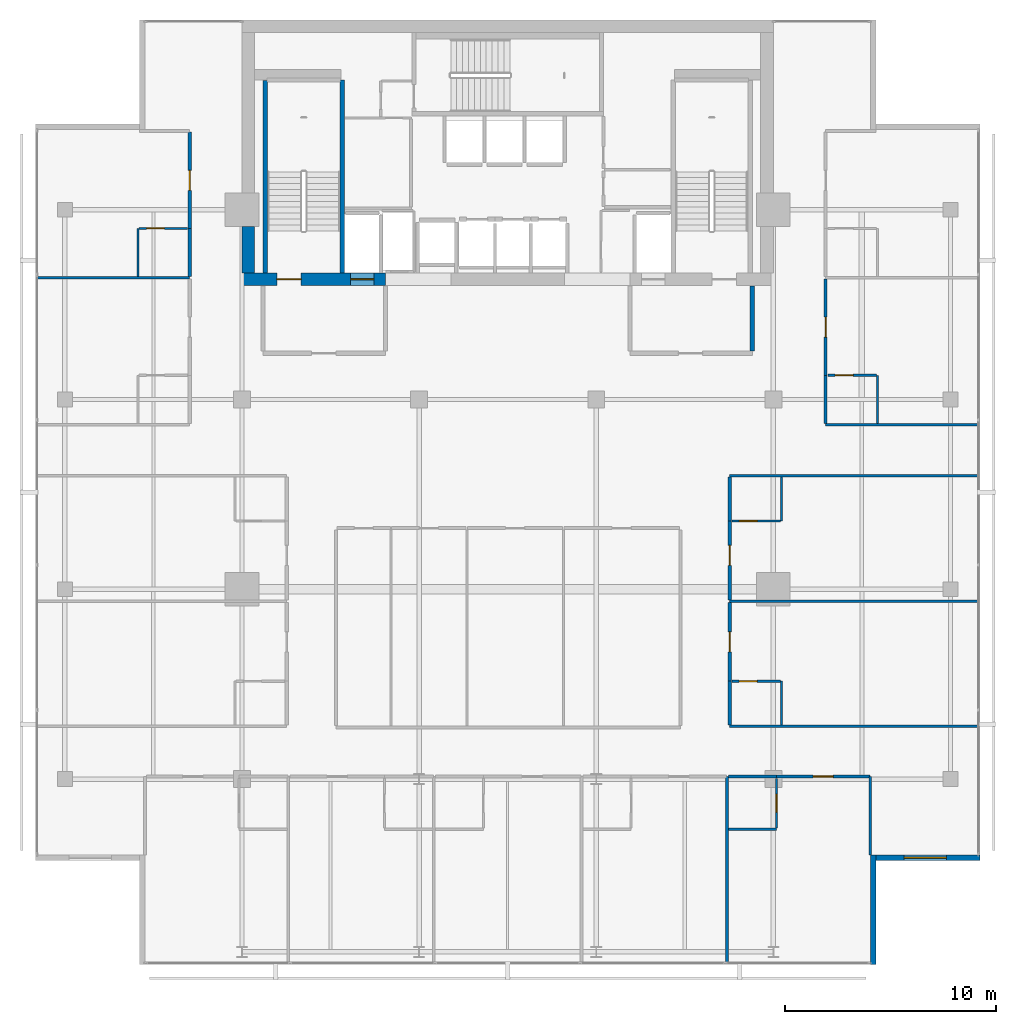
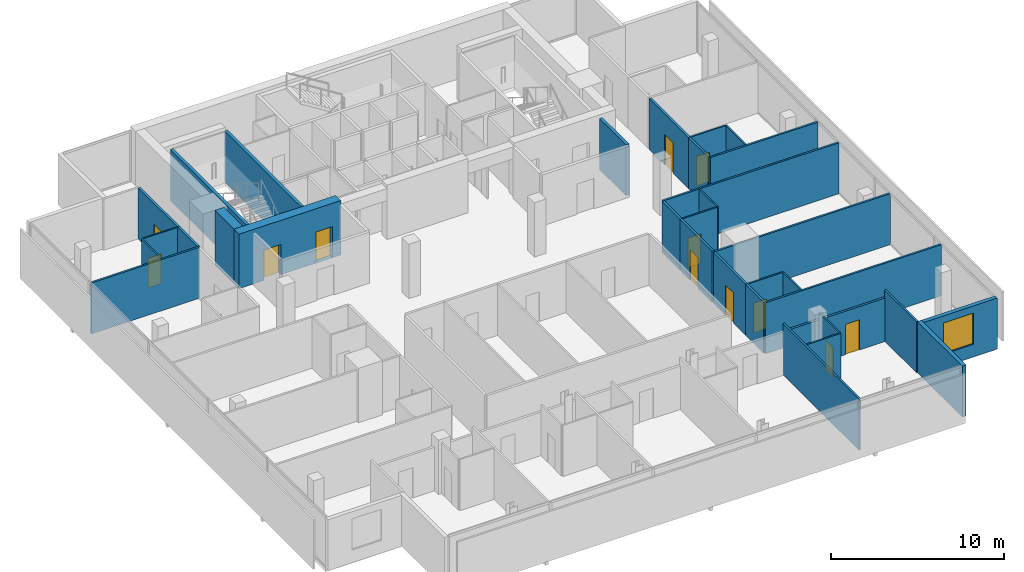
# One storey, part 21 of 25: 34 walls, 12 doors, 1 window, 13 openings.
"""IFC4 building model written with IfcOpenShell, lengths in metres."""

from ifc_helpers import new_model, si_unit, direction, frame, frame_2d, origin, place, context, subcontext, project, spatial, rectangle, extrude, material, layer, layer_set, type_object, element, fill, save


model = new_model("IFC4")

# Units and contexts
model_context = context("Model", 3, precision=1e-05, world=origin(), true_north=direction((0.0, 1.0)))
body_context = subcontext(model_context, "Body", "Model", "MODEL_VIEW")
ifc_project = project(units=[si_unit("LENGTHUNIT", "METRE"), si_unit("AREAUNIT", "SQUARE_METRE"), si_unit("VOLUMEUNIT", "CUBIC_METRE"), si_unit("PLANEANGLEUNIT", "RADIAN"), si_unit("MASSUNIT", "GRAM", prefix="KILO")], contexts=[model_context])

# Site, building, storey
site_placement = place(None, origin())
site = spatial("IfcSite", under=ifc_project, at=site_placement, CompositionType="ELEMENT")
building_placement = place(site_placement, origin())
building = spatial("IfcBuilding", under=site, at=building_placement, Name="Maruvema Waterfront Hotel and Observation Tower", CompositionType="ELEMENT")
storey_placement = place(building_placement, frame((0.0, 0.0, 262.5)))
storey = spatial("IfcBuildingStorey", under=building, at=storey_placement, Name="L64", CompositionType="ELEMENT", Elevation=262.5)

# Wall
ifc_material_1 = material(Name="Twin-stud acoustic gypsum drywall", Category="gypsum")
ifc_layer_1 = layer(ifc_material_1, 0.14990234375, Name="Acoustic Corridor and Suite Demising Wall 150 mm")
ifc_layer_set_1 = layer_set([ifc_layer_1], Name="Twin-stud acoustic gypsum drywall")
wall_type_1 = type_object("IfcWallType", Name="Acoustic Corridor and Suite Demising Wall 150 mm", PredefinedType="PARTITIONING", material=ifc_layer_set_1)
wall_1_placement = place(storey_placement, frame((48.280029296875, 18.1201171875, 0.0), z_axis=(0.0, 0.0, 1.0), x_axis=(1.0, 0.0, 0.0)))
element("IfcWall", 1, at=wall_1_placement, inside=storey, type_object=wall_type_1, Name="L64 Bath L64-S5 Back Wall 053", PredefinedType="PARTITIONING", context=body_context, shape_type="SweptSolid", body=[
    extrude(rectangle(XDim=2.27001953125, YDim=0.14990234375, at=frame_2d((1.135009765625, 0.0))), origin(), (0.0, 0.0, 1.0), 3.076904296875),
])

# Wall, opening, door
wall_2_placement = place(storey_placement, frame((50.550048828125, 18.1201171875, 0.0), z_axis=(0.0, 0.0, 1.0), x_axis=(1.0, 0.0, 0.0)))
wall_2 = element("IfcWall", 2, at=wall_2_placement, inside=storey, type_object=wall_type_1, Name="L64 Unit L64-S5 Corridor Wall 056", PredefinedType="PARTITIONING", context=body_context, shape_type="SweptSolid", body=[
    extrude(rectangle(XDim=4.429931640625, YDim=0.14990234375, at=frame_2d((2.21484375, 0.0))), origin(), (0.0, 0.0, 1.0), 3.076904296875),
])
opening_1_placement = place(wall_2_placement, frame((1.739990234375, 0.0, 0.0)))
opening_1 = element("IfcOpeningElement", 3, at=opening_1_placement, cuts=wall_2, Name="Opening DR-095", PredefinedType="OPENING", context=body_context, shape_type="SweptSolid", body=[
    extrude(rectangle(XDim=0.949951171875, YDim=2.14990234375, at=frame_2d((0.47509765625, 1.074951171875))), frame((0.0, 0.0849609375, 0.0), z_axis=(0.0, -1.0, 0.0), x_axis=(1.0, 0.0, 0.0)), (0.0, 0.0, 1.0), 0.169921875),
])
ifc_material_2 = material(Name="Acoustic solid-core hardwood timber leaf", Category="wood")
door_type_1 = type_object("IfcDoorType", Name="Guestroom Entrance Fire Door 950x2150 mm", OperationType="NOTDEFINED", PredefinedType="DOOR", material=ifc_material_2)
door_1_placement = place(opening_1_placement, frame((0.949951171875, 0.0, 0.0), z_axis=(0.0, 0.0, 1.0), x_axis=(-1.0, 0.0, 0.0)))
door_1 = element("IfcDoor", 4, at=door_1_placement, inside=storey, type_object=door_type_1, Name="L64 Unit L64-S5 Entrance Door", OperationType="SINGLE_SWING_RIGHT", OverallHeight=2.14990234375, OverallWidth=0.949951171875, PredefinedType="DOOR", context=body_context, shape_type="SweptSolid", body=[
    extrude(rectangle(XDim=0.949951171875, YDim=2.14990234375, at=frame_2d((0.47509765625, 1.074951171875))), frame((0.0, 0.02490234375, 0.0), z_axis=(0.0, -1.0, 0.0), x_axis=(1.0, 0.0, 0.0)), (0.0, 0.0, 1.0), 0.050048828125),
])
fill(opening_1, door_1)

# Wall
wall_3_placement = place(storey_placement, frame((48.330078125, 20.56005859375, 0.0), z_axis=(0.0, 0.0, 1.0), x_axis=(0.0, 1.0, 0.0)))
element("IfcWall", 5, at=wall_3_placement, inside=storey, type_object=wall_type_1, Name="L64 Bath L64-E1 Wall 065", PredefinedType="PARTITIONING", context=body_context, shape_type="SweptSolid", body=[
    extrude(rectangle(XDim=2.079833984375, YDim=0.14990234375, at=frame_2d((1.0400390625, 0.0))), origin(), (0.0, 0.0, 1.0), 3.610107421875),
])

# Wall, opening, door
wall_4_placement = place(storey_placement, frame((48.330078125, 22.639892578125, 0.0), z_axis=(0.0, 0.0, 1.0), x_axis=(0.0, 1.0, 0.0)))
wall_4 = element("IfcWall", 6, at=wall_4_placement, inside=storey, type_object=wall_type_1, Name="L64 Room L64-E1 Corridor Wall 066", PredefinedType="PARTITIONING", context=body_context, shape_type="SweptSolid", body=[
    extrude(rectangle(XDim=3.739990234375, YDim=0.14990234375, at=frame_2d((1.8701171875, 0.0))), origin(), (0.0, 0.0, 1.0), 3.610107421875),
])
opening_2_placement = place(wall_4_placement, frame((1.39501953125, 0.0, 0.0)))
opening_2 = element("IfcOpeningElement", 7, at=opening_2_placement, cuts=wall_4, Name="Opening DR-095", PredefinedType="OPENING", context=body_context, shape_type="SweptSolid", body=[
    extrude(rectangle(XDim=0.949951171875, YDim=2.14990234375, at=frame_2d((0.47509765625, 1.074951171875))), frame((0.0, 0.0849609375, 0.0), z_axis=(0.0, -1.0, 0.0), x_axis=(1.0, 0.0, 0.0)), (0.0, 0.0, 1.0), 0.169921875),
])
door_2_placement = place(opening_2_placement, frame((0.949951171875, 0.0, 0.0), z_axis=(0.0, 0.0, 1.0), x_axis=(-1.0, 0.0, 0.0)))
door_2 = element("IfcDoor", 8, at=door_2_placement, inside=storey, type_object=door_type_1, Name="L64 Room L64-E1 Entrance Door", OperationType="SINGLE_SWING_RIGHT", OverallHeight=2.14990234375, OverallWidth=0.949951171875, PredefinedType="DOOR", context=body_context, shape_type="SweptSolid", body=[
    extrude(rectangle(XDim=0.949951171875, YDim=2.14990234375, at=frame_2d((0.47509765625, 1.074951171875))), frame((0.0, 0.02490234375, 0.0), z_axis=(0.0, -1.0, 0.0), x_axis=(1.0, 0.0, 0.0)), (0.0, 0.0, 1.0), 0.050048828125),
])
fill(opening_2, door_2)

wall_5_placement = place(storey_placement, frame((48.330078125, 26.5, 0.0), z_axis=(0.0, 0.0, 1.0), x_axis=(0.0, 1.0, 0.0)))
wall_5 = element("IfcWall", 9, at=wall_5_placement, inside=storey, type_object=wall_type_1, Name="L64 Room L64-E2 Corridor Wall 075", PredefinedType="PARTITIONING", context=body_context, shape_type="SweptSolid", body=[
    extrude(rectangle(XDim=3.739990234375, YDim=0.14990234375, at=frame_2d((1.8701171875, 0.0))), origin(), (0.0, 0.0, 1.0), 3.610107421875),
])
opening_3_placement = place(wall_5_placement, frame((1.635009765625, 0.0, 0.0)))
opening_3 = element("IfcOpeningElement", 10, at=opening_3_placement, cuts=wall_5, Name="Opening DR-095", PredefinedType="OPENING", context=body_context, shape_type="SweptSolid", body=[
    extrude(rectangle(XDim=0.949951171875, YDim=2.14990234375, at=frame_2d((0.47509765625, 1.074951171875))), frame((0.0, 0.0849609375, 0.0), z_axis=(0.0, -1.0, 0.0), x_axis=(1.0, 0.0, 0.0)), (0.0, 0.0, 1.0), 0.169921875),
])
door_3_placement = place(opening_3_placement, frame((0.949951171875, 0.0, 0.0), z_axis=(0.0, 0.0, 1.0), x_axis=(-1.0, 0.0, 0.0)))
door_3 = element("IfcDoor", 11, at=door_3_placement, inside=storey, type_object=door_type_1, Name="L64 Room L64-E2 Entrance Door", OperationType="SINGLE_SWING_RIGHT", OverallHeight=2.14990234375, OverallWidth=0.949951171875, PredefinedType="DOOR", context=body_context, shape_type="SweptSolid", body=[
    extrude(rectangle(XDim=0.949951171875, YDim=2.14990234375, at=frame_2d((0.47509765625, 1.074951171875))), frame((0.0, 0.02490234375, 0.0), z_axis=(0.0, -1.0, 0.0), x_axis=(1.0, 0.0, 0.0)), (0.0, 0.0, 1.0), 0.050048828125),
])
fill(opening_3, door_3)

# Walls
wall_6_placement = place(storey_placement, frame((48.330078125, 30.239990234375, 0.0), z_axis=(0.0, 0.0, 1.0), x_axis=(0.0, 1.0, 0.0)))
element("IfcWall", 12, at=wall_6_placement, inside=storey, type_object=wall_type_1, Name="L64 Bath L64-E2 Wall 076", PredefinedType="PARTITIONING", context=body_context, shape_type="SweptSolid", body=[
    extrude(rectangle(XDim=2.080078125, YDim=0.14990234375, at=frame_2d((1.0400390625, 0.0))), origin(), (0.0, 0.0, 1.0), 3.610107421875),
])
wall_7_placement = place(storey_placement, frame((52.8798828125, 34.860107421875, 0.0), z_axis=(0.0, 0.0, 1.0), x_axis=(0.0, 1.0, 0.0)))
element("IfcWall", 13, at=wall_7_placement, inside=storey, type_object=wall_type_1, Name="L64 Bath L64-NE1 Wall 087", PredefinedType="PARTITIONING", context=body_context, shape_type="SweptSolid", body=[
    extrude(rectangle(XDim=2.289794921875, YDim=0.14990234375, at=frame_2d((1.14501953125, 0.0))), origin(), (0.0, 0.0, 1.0), 3.610107421875),
])

# Wall, opening, door
wall_8_placement = place(storey_placement, frame((52.8798828125, 37.14990234375, 0.0), z_axis=(0.0, 0.0, 1.0), x_axis=(0.0, 1.0, 0.0)))
wall_8 = element("IfcWall", 14, at=wall_8_placement, inside=storey, type_object=wall_type_1, Name="L64 Room L64-NE1 Corridor Wall 088", PredefinedType="PARTITIONING", context=body_context, shape_type="SweptSolid", body=[
    extrude(rectangle(XDim=4.558837890625, YDim=0.14990234375, at=frame_2d((2.279296875, 0.0))), origin(), (0.0, 0.0, 1.0), 3.610107421875),
])
opening_4_placement = place(wall_8_placement, frame((1.804443359375, 0.0, 0.0)))
opening_4 = element("IfcOpeningElement", 15, at=opening_4_placement, cuts=wall_8, Name="Opening DR-095", PredefinedType="OPENING", context=body_context, shape_type="SweptSolid", body=[
    extrude(rectangle(XDim=0.949951171875, YDim=2.14990234375, at=frame_2d((0.47509765625, 1.074951171875))), frame((0.0, 0.0849609375, 0.0), z_axis=(0.0, -1.0, 0.0), x_axis=(1.0, 0.0, 0.0)), (0.0, 0.0, 1.0), 0.169921875),
])
door_4_placement = place(opening_4_placement, frame((0.949951171875, 0.0, 0.0), z_axis=(0.0, 0.0, 1.0), x_axis=(-1.0, 0.0, 0.0)))
door_4 = element("IfcDoor", 16, at=door_4_placement, inside=storey, type_object=door_type_1, Name="L64 Room L64-NE1 Entrance Door", OperationType="SINGLE_SWING_RIGHT", OverallHeight=2.14990234375, OverallWidth=0.949951171875, PredefinedType="DOOR", context=body_context, shape_type="SweptSolid", body=[
    extrude(rectangle(XDim=0.949951171875, YDim=2.14990234375, at=frame_2d((0.47509765625, 1.074951171875))), frame((0.0, 0.02490234375, 0.0), z_axis=(0.0, -1.0, 0.0), x_axis=(1.0, 0.0, 0.0)), (0.0, 0.0, 1.0), 0.050048828125),
])
fill(opening_4, door_4)

# Wall
wall_9_placement = place(storey_placement, frame((22.719970703125, 41.82861328125, 0.0), z_axis=(0.0, 0.0, 1.0), x_axis=(0.0, 1.0, 0.0)))
element("IfcWall", 17, at=wall_9_placement, inside=storey, type_object=wall_type_1, Name="L64 Bath L64-NW2 Wall 093", PredefinedType="PARTITIONING", context=body_context, shape_type="SweptSolid", body=[
    extrude(rectangle(XDim=2.2900390625, YDim=0.14990234375, at=frame_2d((1.14501953125, 0.0))), origin(), (0.0, 0.0, 1.0), 3.610107421875),
])

# Wall, opening, door
wall_10_placement = place(storey_placement, frame((22.719970703125, 44.11865234375, 0.0), z_axis=(0.0, 0.0, 1.0), x_axis=(0.0, 1.0, 0.0)))
wall_10 = element("IfcWall", 18, at=wall_10_placement, inside=storey, type_object=wall_type_1, Name="L64 Room L64-NW2 Corridor Wall 094", PredefinedType="PARTITIONING", context=body_context, shape_type="SweptSolid", body=[
    extrude(rectangle(XDim=4.558837890625, YDim=0.14990234375, at=frame_2d((2.279296875, 0.0))), origin(), (0.0, 0.0, 1.0), 3.610107421875),
])
opening_5_placement = place(wall_10_placement, frame((1.804443359375, 0.0, 0.0)))
opening_5 = element("IfcOpeningElement", 19, at=opening_5_placement, cuts=wall_10, Name="Opening DR-095", PredefinedType="OPENING", context=body_context, shape_type="SweptSolid", body=[
    extrude(rectangle(XDim=0.949951171875, YDim=2.14990234375, at=frame_2d((0.47509765625, 1.074951171875))), frame((0.0, 0.0849609375, 0.0), z_axis=(0.0, -1.0, 0.0), x_axis=(1.0, 0.0, 0.0)), (0.0, 0.0, 1.0), 0.169921875),
])
door_5_placement = place(opening_5_placement, origin())
door_5 = element("IfcDoor", 20, at=door_5_placement, inside=storey, type_object=door_type_1, Name="L64 Room L64-NW2 Entrance Door", OperationType="SINGLE_SWING_RIGHT", OverallHeight=2.14990234375, OverallWidth=0.949951171875, PredefinedType="DOOR", context=body_context, shape_type="SweptSolid", body=[
    extrude(rectangle(XDim=0.949951171875, YDim=2.14990234375, at=frame_2d((0.47509765625, 1.074951171875))), frame((0.0, 0.02490234375, 0.0), z_axis=(0.0, -1.0, 0.0), x_axis=(1.0, 0.0, 0.0)), (0.0, 0.0, 1.0), 0.050048828125),
])
fill(opening_5, door_5)

# Walls
ifc_material_3 = material(Name="Precast concrete C45/55", Category="concrete")
ifc_layer_2 = layer(ifc_material_3, 0.199951171875, Name="Core Shaft and Stairwell Enclosure Wall 200 mm")
ifc_layer_set_2 = layer_set([ifc_layer_2], Name="Precast concrete C45/55")
wall_type_2 = type_object("IfcWallType", Name="Core Shaft and Stairwell Enclosure Wall 200 mm", PredefinedType="SOLIDWALL", material=ifc_layer_set_2)
wall_11_placement = place(storey_placement, frame((29.949951171875, 42.0, 0.0), z_axis=(0.0, 0.0, 1.0), x_axis=(0.0, 1.0, 0.0)))
element("IfcWall", 21, at=wall_11_placement, inside=storey, type_object=wall_type_2, Name="L64 Stairwell ST-01 East Shaft Wall", PredefinedType="SOLIDWALL", context=body_context, shape_type="SweptSolid", body=[
    extrude(rectangle(XDim=9.14990234375, YDim=0.199951171875, at=frame_2d((4.574951171875, 0.0))), origin(), (0.0, 0.0, 1.0), 3.610107421875),
])
wall_12_placement = place(storey_placement, frame((26.300048828125, 42.0, 0.0), z_axis=(0.0, 0.0, 1.0), x_axis=(0.0, 1.0, 0.0)))
element("IfcWall", 22, at=wall_12_placement, inside=storey, type_object=wall_type_2, Name="L64 Stairwell ST-01 Shaft Lining Wall", PredefinedType="SOLIDWALL", context=body_context, shape_type="SweptSolid", body=[
    extrude(rectangle(XDim=9.1201171875, YDim=0.199951171875, at=frame_2d((4.56005859375, 0.0))), origin(), (0.0, 0.0, 1.0), 3.610107421875),
])

# Wall, openings, doors
ifc_material_4 = material(Name="Concrete C60/75", Category="concrete")
ifc_layer_3 = layer(ifc_material_4, 0.60009765625, Name="Core Shear Wall 600 mm")
ifc_layer_set_3 = layer_set([ifc_layer_3], Name="Concrete C60/75")
wall_type_3 = type_object("IfcWallType", Name="Core Shear Wall 600 mm", PredefinedType="SHEAR", material=ifc_layer_set_3)
wall_13_placement = place(storey_placement, frame((25.199951171875, 41.699951171875, 0.0), z_axis=(0.0, 0.0, 1.0), x_axis=(1.0, 0.0, 0.0)))
wall_13 = element("IfcWall", 23, at=wall_13_placement, inside=storey, type_object=wall_type_3, Name="L64 South-West Core Shear Wall", PredefinedType="SHEAR", context=body_context, shape_type="SweptSolid", body=[
    extrude(rectangle(XDim=6.800048828125, YDim=0.60009765625, at=frame_2d((3.39990234375, 0.0))), origin(), (0.0, 0.0, 1.0), 3.85009765625),
])
opening_6_placement = place(wall_13_placement, frame((1.64990234375, 0.0, 0.0)))
opening_6 = element("IfcOpeningElement", 24, at=opening_6_placement, cuts=wall_13, Name="Opening SD-01", PredefinedType="OPENING", context=body_context, shape_type="SweptSolid", body=[
    extrude(rectangle(XDim=1.14990234375, YDim=2.14990234375, at=frame_2d((0.574951171875, 1.074951171875))), frame((0.0, 0.31005859375, 0.0), z_axis=(0.0, -1.0, 0.0), x_axis=(1.0, 0.0, 0.0)), (0.0, 0.0, 1.0), 0.6201171875),
])
opening_7_placement = place(wall_13_placement, frame((5.14990234375, 0.0, 0.0)))
opening_7 = element("IfcOpeningElement", 25, at=opening_7_placement, cuts=wall_13, Name="Opening LD-03", PredefinedType="OPENING", context=body_context, shape_type="SweptSolid", body=[
    extrude(rectangle(XDim=1.10009765625, YDim=2.199951171875, at=frame_2d((0.550048828125, 1.10009765625))), frame((0.0, 0.31005859375, 0.0), z_axis=(0.0, -1.0, 0.0), x_axis=(1.0, 0.0, 0.0)), (0.0, 0.0, 1.0), 0.6201171875),
])
ifc_material_5 = material(Name="Fire-rated galvanised steel leaf", Category="steel")
door_type_2 = type_object("IfcDoorType", Name="Exit Stair Fire Door 1150x2150 mm", OperationType="NOTDEFINED", PredefinedType="DOOR", material=ifc_material_5)
door_6_placement = place(opening_6_placement, origin())
door_6 = element("IfcDoor", 26, at=door_6_placement, inside=storey, type_object=door_type_2, Name="L64 Exit Stair ST-01 Fire Door", OperationType="SINGLE_SWING_LEFT", OverallHeight=2.14990234375, OverallWidth=1.14990234375, PredefinedType="DOOR", context=body_context, shape_type="SweptSolid", body=[
    extrude(rectangle(XDim=1.14990234375, YDim=2.14990234375, at=frame_2d((0.574951171875, 1.074951171875))), frame((0.0, 0.02490234375, 0.0), z_axis=(0.0, -1.0, 0.0), x_axis=(1.0, 0.0, 0.0)), (0.0, 0.0, 1.0), 0.050048828125),
])
fill(opening_6, door_6)
ifc_material_6 = material(Name="Brushed stainless steel Grade 316", Category="steel")
door_type_3 = type_object("IfcDoorType", Name="Firefighting Lift Sliding Landing Door 1100x2200 mm", OperationType="SLIDING_TO_LEFT", PredefinedType="DOOR", material=ifc_material_6)
door_7_placement = place(opening_7_placement, frame((1.10009765625, 0.0, 0.0), z_axis=(0.0, 0.0, 1.0), x_axis=(-1.0, 0.0, 0.0)))
door_7 = element("IfcDoor", 27, at=door_7_placement, inside=storey, type_object=door_type_3, Name="L64 Firefighting Lift FL-01 Landing Door", OperationType="SLIDING_TO_LEFT", OverallHeight=2.199951171875, OverallWidth=1.10009765625, PredefinedType="DOOR", context=body_context, shape_type="SweptSolid", body=[
    extrude(rectangle(XDim=1.10009765625, YDim=2.199951171875, at=frame_2d((0.550048828125, 1.10009765625))), frame((0.0, 0.02490234375, 0.0), z_axis=(0.0, -1.0, 0.0), x_axis=(1.0, 0.0, 0.0)), (0.0, 0.0, 1.0), 0.050048828125),
])
fill(opening_7, door_7)

# Walls
wall_14_placement = place(storey_placement, frame((25.5, 42.0, 0.0), z_axis=(0.0, 0.0, 1.0), x_axis=(0.0, 1.0, 0.0)))
element("IfcWall", 28, at=wall_14_placement, inside=storey, type_object=wall_type_3, Name="L64 West-South Core Shear Wall", PredefinedType="SHEAR", context=body_context, shape_type="SweptSolid", body=[
    extrude(rectangle(XDim=2.199951171875, YDim=0.60009765625, at=frame_2d((1.10009765625, 0.0))), origin(), (0.0, 0.0, 1.0), 3.85009765625),
])
ifc_material_7 = material(Name="Moisture-resistant cement-board drywall", Category="gypsum")
ifc_layer_4 = layer(ifc_material_7, 0.10009765625, Name="En-Suite Moisture-Resistant Partition 100 mm")
ifc_layer_set_4 = layer_set([ifc_layer_4], Name="Moisture-resistant cement-board drywall")
wall_type_4 = type_object("IfcWallType", Name="En-Suite Moisture-Resistant Partition 100 mm", PredefinedType="PARTITIONING", material=ifc_layer_set_4)
wall_15_placement = place(storey_placement, frame((48.280029296875, 15.6201171875, 0.0), z_axis=(0.0, 0.0, 1.0), x_axis=(1.0, 0.0, 0.0)))
element("IfcWall", 29, at=wall_15_placement, inside=storey, type_object=wall_type_4, Name="L64 En-Suite L64-S5 South 054", PredefinedType="PARTITIONING", context=body_context, shape_type="SweptSolid", body=[
    extrude(rectangle(XDim=2.27001953125, YDim=0.10009765625, at=frame_2d((1.135009765625, 0.0))), origin(), (0.0, 0.0, 1.0), 3.610107421875),
])

# Wall, opening, door
wall_16_placement = place(storey_placement, frame((50.550048828125, 15.679931640625, 0.0), z_axis=(0.0, 0.0, 1.0), x_axis=(0.0, 1.0, 0.0)))
wall_16 = element("IfcWall", 30, at=wall_16_placement, inside=storey, type_object=wall_type_4, Name="L64 En-Suite L64-S5 East 055", PredefinedType="PARTITIONING", context=body_context, shape_type="SweptSolid", body=[
    extrude(rectangle(XDim=2.340087890625, YDim=0.10009765625, at=frame_2d((1.169921875, 0.0))), origin(), (0.0, 0.0, 1.0), 3.610107421875),
])
opening_8_placement = place(wall_16_placement, frame((0.7451171875, 0.0, 0.0)))
opening_8 = element("IfcOpeningElement", 31, at=opening_8_placement, cuts=wall_16, Name="Opening DR-085", PredefinedType="OPENING", context=body_context, shape_type="SweptSolid", body=[
    extrude(rectangle(XDim=0.85009765625, YDim=2.10009765625, at=frame_2d((0.425048828125, 1.050048828125))), frame((0.0, 0.06005859375, 0.0), z_axis=(0.0, -1.0, 0.0), x_axis=(1.0, 0.0, 0.0)), (0.0, 0.0, 1.0), 0.1201171875),
])
ifc_material_8 = material(Name="Moisture-resistant solid timber leaf", Category="wood")
door_type_4 = type_object("IfcDoorType", Name="En-Suite Bathroom Door 850x2100 mm", OperationType="NOTDEFINED", PredefinedType="DOOR", material=ifc_material_8)
door_8_placement = place(opening_8_placement, frame((0.85009765625, 0.0, 0.0), z_axis=(0.0, 0.0, 1.0), x_axis=(-1.0, 0.0, 0.0)))
door_8 = element("IfcDoor", 32, at=door_8_placement, inside=storey, type_object=door_type_4, Name="L64 En-Suite L64-S5 Door", OperationType="SINGLE_SWING_LEFT", OverallHeight=2.10009765625, OverallWidth=0.85009765625, PredefinedType="DOOR", context=body_context, shape_type="SweptSolid", body=[
    extrude(rectangle(XDim=0.85009765625, YDim=2.10009765625, at=frame_2d((0.425048828125, 1.050048828125))), frame((0.0, 0.02490234375, 0.0), z_axis=(0.0, -1.0, 0.0), x_axis=(1.0, 0.0, 0.0)), (0.0, 0.0, 1.0), 0.050048828125),
])
fill(opening_8, door_8)

# Wall
wall_17_placement = place(storey_placement, frame((50.780029296875, 20.56005859375, 0.0), z_axis=(0.0, 0.0, 1.0), x_axis=(0.0, 1.0, 0.0)))
element("IfcWall", 33, at=wall_17_placement, inside=storey, type_object=wall_type_4, Name="L64 En-Suite L64-E1 E 067", PredefinedType="PARTITIONING", context=body_context, shape_type="SweptSolid", body=[
    extrude(rectangle(XDim=2.079833984375, YDim=0.10009765625, at=frame_2d((1.0400390625, 0.0))), origin(), (0.0, 0.0, 1.0), 3.610107421875),
])

# Wall, opening, door
wall_18_placement = place(storey_placement, frame((48.429931640625, 22.639892578125, 0.0), z_axis=(0.0, 0.0, 1.0), x_axis=(1.0, 0.0, 0.0)))
wall_18 = element("IfcWall", 34, at=wall_18_placement, inside=storey, type_object=wall_type_4, Name="L64 En-Suite L64-E1 N 068", PredefinedType="PARTITIONING", context=body_context, shape_type="SweptSolid", body=[
    extrude(rectangle(XDim=2.300048828125, YDim=0.10009765625, at=frame_2d((1.14990234375, 0.0))), origin(), (0.0, 0.0, 1.0), 3.610107421875),
])
opening_9_placement = place(wall_18_placement, frame((0.35009765625, 0.0, 0.0)))
opening_9 = element("IfcOpeningElement", 35, at=opening_9_placement, cuts=wall_18, Name="Opening DR-085", PredefinedType="OPENING", context=body_context, shape_type="SweptSolid", body=[
    extrude(rectangle(XDim=0.85009765625, YDim=2.10009765625, at=frame_2d((0.425048828125, 1.050048828125))), frame((0.0, 0.06005859375, 0.0), z_axis=(0.0, -1.0, 0.0), x_axis=(1.0, 0.0, 0.0)), (0.0, 0.0, 1.0), 0.1201171875),
])
door_9_placement = place(opening_9_placement, origin())
door_9 = element("IfcDoor", 36, at=door_9_placement, inside=storey, type_object=door_type_4, Name="L64 En-Suite L64-E1 Door", OperationType="SINGLE_SWING_LEFT", OverallHeight=2.10009765625, OverallWidth=0.85009765625, PredefinedType="DOOR", context=body_context, shape_type="SweptSolid", body=[
    extrude(rectangle(XDim=0.85009765625, YDim=2.10009765625, at=frame_2d((0.425048828125, 1.050048828125))), frame((0.0, 0.02490234375, 0.0), z_axis=(0.0, -1.0, 0.0), x_axis=(1.0, 0.0, 0.0)), (0.0, 0.0, 1.0), 0.050048828125),
])
fill(opening_9, door_9)

# Wall
wall_19_placement = place(storey_placement, frame((50.780029296875, 30.239990234375, 0.0), z_axis=(0.0, 0.0, 1.0), x_axis=(0.0, 1.0, 0.0)))
element("IfcWall", 37, at=wall_19_placement, inside=storey, type_object=wall_type_4, Name="L64 En-Suite L64-E2 E 077", PredefinedType="PARTITIONING", context=body_context, shape_type="SweptSolid", body=[
    extrude(rectangle(XDim=2.080078125, YDim=0.10009765625, at=frame_2d((1.0400390625, 0.0))), origin(), (0.0, 0.0, 1.0), 3.610107421875),
])

# Wall, opening, door
wall_20_placement = place(storey_placement, frame((48.429931640625, 30.239990234375, 0.0), z_axis=(0.0, 0.0, 1.0), x_axis=(1.0, 0.0, 0.0)))
wall_20 = element("IfcWall", 38, at=wall_20_placement, inside=storey, type_object=wall_type_4, Name="L64 En-Suite L64-E2 S 078", PredefinedType="PARTITIONING", context=body_context, shape_type="SweptSolid", body=[
    extrude(rectangle(XDim=2.300048828125, YDim=0.10009765625, at=frame_2d((1.14990234375, 0.0))), origin(), (0.0, 0.0, 1.0), 3.610107421875),
])
opening_10_placement = place(wall_20_placement, frame((0.35009765625, 0.0, 0.0)))
opening_10 = element("IfcOpeningElement", 39, at=opening_10_placement, cuts=wall_20, Name="Opening DR-085", PredefinedType="OPENING", context=body_context, shape_type="SweptSolid", body=[
    extrude(rectangle(XDim=0.85009765625, YDim=2.10009765625, at=frame_2d((0.425048828125, 1.050048828125))), frame((0.0, 0.06005859375, 0.0), z_axis=(0.0, -1.0, 0.0), x_axis=(1.0, 0.0, 0.0)), (0.0, 0.0, 1.0), 0.1201171875),
])
door_10_placement = place(opening_10_placement, frame((0.85009765625, 0.0, 0.0), z_axis=(0.0, 0.0, 1.0), x_axis=(-1.0, 0.0, 0.0)))
door_10 = element("IfcDoor", 40, at=door_10_placement, inside=storey, type_object=door_type_4, Name="L64 En-Suite L64-E2 Door", OperationType="SINGLE_SWING_LEFT", OverallHeight=2.10009765625, OverallWidth=0.85009765625, PredefinedType="DOOR", context=body_context, shape_type="SweptSolid", body=[
    extrude(rectangle(XDim=0.85009765625, YDim=2.10009765625, at=frame_2d((0.425048828125, 1.050048828125))), frame((0.0, 0.02490234375, 0.0), z_axis=(0.0, -1.0, 0.0), x_axis=(1.0, 0.0, 0.0)), (0.0, 0.0, 1.0), 0.050048828125),
])
fill(opening_10, door_10)

# Wall
wall_21_placement = place(storey_placement, frame((55.330078125, 34.860107421875, 0.0), z_axis=(0.0, 0.0, 1.0), x_axis=(0.0, 1.0, 0.0)))
element("IfcWall", 41, at=wall_21_placement, inside=storey, type_object=wall_type_4, Name="L64 En-Suite L64-NE1 E 089", PredefinedType="PARTITIONING", context=body_context, shape_type="SweptSolid", body=[
    extrude(rectangle(XDim=2.289794921875, YDim=0.10009765625, at=frame_2d((1.14501953125, 0.0))), origin(), (0.0, 0.0, 1.0), 3.610107421875),
])

# Wall, opening, door
wall_22_placement = place(storey_placement, frame((52.97998046875, 37.14990234375, 0.0), z_axis=(0.0, 0.0, 1.0), x_axis=(1.0, 0.0, 0.0)))
wall_22 = element("IfcWall", 42, at=wall_22_placement, inside=storey, type_object=wall_type_4, Name="L64 En-Suite L64-NE1 N 090", PredefinedType="PARTITIONING", context=body_context, shape_type="SweptSolid", body=[
    extrude(rectangle(XDim=2.300048828125, YDim=0.10009765625, at=frame_2d((1.14990234375, 0.0))), origin(), (0.0, 0.0, 1.0), 3.610107421875),
])
opening_11_placement = place(wall_22_placement, frame((0.35009765625, 0.0, 0.0)))
opening_11 = element("IfcOpeningElement", 43, at=opening_11_placement, cuts=wall_22, Name="Opening DR-085", PredefinedType="OPENING", context=body_context, shape_type="SweptSolid", body=[
    extrude(rectangle(XDim=0.85009765625, YDim=2.10009765625, at=frame_2d((0.425048828125, 1.050048828125))), frame((0.0, 0.06005859375, 0.0), z_axis=(0.0, -1.0, 0.0), x_axis=(1.0, 0.0, 0.0)), (0.0, 0.0, 1.0), 0.1201171875),
])
door_11_placement = place(opening_11_placement, origin())
door_11 = element("IfcDoor", 44, at=door_11_placement, inside=storey, type_object=door_type_4, Name="L64 En-Suite L64-NE1 Door", OperationType="SINGLE_SWING_LEFT", OverallHeight=2.10009765625, OverallWidth=0.85009765625, PredefinedType="DOOR", context=body_context, shape_type="SweptSolid", body=[
    extrude(rectangle(XDim=0.85009765625, YDim=2.10009765625, at=frame_2d((0.425048828125, 1.050048828125))), frame((0.0, 0.02490234375, 0.0), z_axis=(0.0, -1.0, 0.0), x_axis=(1.0, 0.0, 0.0)), (0.0, 0.0, 1.0), 0.050048828125),
])
fill(opening_11, door_11)

# Wall
wall_23_placement = place(storey_placement, frame((20.27001953125, 41.82861328125, 0.0), z_axis=(0.0, 0.0, 1.0), x_axis=(0.0, 1.0, 0.0)))
element("IfcWall", 45, at=wall_23_placement, inside=storey, type_object=wall_type_4, Name="L64 En-Suite L64-NW2 W 095", PredefinedType="PARTITIONING", context=body_context, shape_type="SweptSolid", body=[
    extrude(rectangle(XDim=2.2900390625, YDim=0.10009765625, at=frame_2d((1.14501953125, 0.0))), origin(), (0.0, 0.0, 1.0), 3.610107421875),
])

# Wall, opening, door
wall_24_placement = place(storey_placement, frame((20.320068359375, 44.11865234375, 0.0), z_axis=(0.0, 0.0, 1.0), x_axis=(1.0, 0.0, 0.0)))
wall_24 = element("IfcWall", 46, at=wall_24_placement, inside=storey, type_object=wall_type_4, Name="L64 En-Suite L64-NW2 N 096", PredefinedType="PARTITIONING", context=body_context, shape_type="SweptSolid", body=[
    extrude(rectangle(XDim=2.300048828125, YDim=0.10009765625, at=frame_2d((1.14990234375, 0.0))), origin(), (0.0, 0.0, 1.0), 3.610107421875),
])
opening_12_placement = place(wall_24_placement, frame((0.35009765625, 0.0, 0.0)))
opening_12 = element("IfcOpeningElement", 47, at=opening_12_placement, cuts=wall_24, Name="Opening DR-085", PredefinedType="OPENING", context=body_context, shape_type="SweptSolid", body=[
    extrude(rectangle(XDim=0.85009765625, YDim=2.10009765625, at=frame_2d((0.425048828125, 1.050048828125))), frame((0.0, 0.06005859375, 0.0), z_axis=(0.0, -1.0, 0.0), x_axis=(1.0, 0.0, 0.0)), (0.0, 0.0, 1.0), 0.1201171875),
])
door_12_placement = place(opening_12_placement, origin())
door_12 = element("IfcDoor", 48, at=door_12_placement, inside=storey, type_object=door_type_4, Name="L64 En-Suite L64-NW2 Door", OperationType="SINGLE_SWING_LEFT", OverallHeight=2.10009765625, OverallWidth=0.85009765625, PredefinedType="DOOR", context=body_context, shape_type="SweptSolid", body=[
    extrude(rectangle(XDim=0.85009765625, YDim=2.10009765625, at=frame_2d((0.425048828125, 1.050048828125))), frame((0.0, 0.02490234375, 0.0), z_axis=(0.0, -1.0, 0.0), x_axis=(1.0, 0.0, 0.0)), (0.0, 0.0, 1.0), 0.050048828125),
])
fill(opening_12, door_12)

# Wall
ifc_material_9 = material(Name="Precast concrete C45/55 with honed Pernambuco granite facing", Category="masonry")
ifc_layer_5 = layer(ifc_material_9, 0.260009765625, Name="Exterior Granite Clad Spandrel and Pier Wall 260 mm")
ifc_layer_set_5 = layer_set([ifc_layer_5], Name="Precast concrete C45/55 with honed Pernambuco granite facing")
wall_type_5 = type_object("IfcWallType", Name="Exterior Granite Clad Spandrel and Pier Wall 260 mm", PredefinedType="SOLIDWALL", material=ifc_layer_set_5)
wall_25_placement = place(storey_placement, frame((55.1298828125, 14.39990234375, 0.0), z_axis=(0.0, 0.0, 1.0), x_axis=(0.0, -1.0, 0.0)))
element("IfcWall", 49, at=wall_25_placement, inside=storey, type_object=wall_type_5, Name="L64 Corner Notch Granite Pier Wall SE1", PredefinedType="SOLIDWALL", context=body_context, shape_type="SweptSolid", body=[
    extrude(rectangle(XDim=5.199951171875, YDim=0.260009765625, at=frame_2d((2.60009765625, 0.0))), origin(), (0.0, 0.0, 1.0), 3.610107421875),
])

# Wall, opening, window
wall_26_placement = place(storey_placement, frame((60.199951171875, 14.27001953125, 0.0), z_axis=(0.0, 0.0, 1.0), x_axis=(-1.0, 0.0, 0.0)))
wall_26 = element("IfcWall", 50, at=wall_26_placement, inside=storey, type_object=wall_type_5, Name="L64 Corner Notch Granite Pier Wall SE2", PredefinedType="SOLIDWALL", context=body_context, shape_type="SweptSolid", body=[
    extrude(rectangle(XDim=5.199951171875, YDim=0.260009765625, at=frame_2d((2.60009765625, 0.0))), origin(), (0.0, 0.0, 1.0), 3.610107421875),
])
opening_13_placement = place(wall_26_placement, frame((1.60009765625, 0.0, 0.89990234375)))
opening_13 = element("IfcOpeningElement", 51, at=opening_13_placement, cuts=wall_26, Name="Opening WN-03", PredefinedType="OPENING", context=body_context, shape_type="SweptSolid", body=[
    extrude(rectangle(XDim=2.0, YDim=2.199951171875, at=frame_2d((1.0, 1.10009765625))), frame((0.0, 0.14013671875, 0.0), z_axis=(0.0, -1.0, 0.0), x_axis=(1.0, 0.0, 0.0)), (0.0, 0.0, 1.0), 0.280029296875),
])
ifc_material_10 = material(Name="Anodised bronze aluminium frame with laminated low-E glass", Category="aluminium")
window_type = type_object("IfcWindowType", Name="Sky Suite Panoramic Notch Window 2000x2200 mm", PartitioningType="SINGLE_PANEL", PredefinedType="WINDOW", material=ifc_material_10)
window_placement = place(opening_13_placement, origin())
window = element("IfcWindow", 52, at=window_placement, inside=storey, type_object=window_type, Name="L64 Corner Notch Punched Window SE2", OverallHeight=2.199951171875, OverallWidth=2.0, PartitioningType="SINGLE_PANEL", PredefinedType="WINDOW", context=body_context, shape_type="SweptSolid", body=[
    extrude(rectangle(XDim=2.0, YDim=2.199951171875, at=frame_2d((1.0, 1.10009765625))), frame((0.0, 0.030029296875, 0.0), z_axis=(0.0, -1.0, 0.0), x_axis=(1.0, 0.0, 0.0)), (0.0, 0.0, 1.0), 0.06005859375),
])
fill(opening_13, window)

# Walls
ifc_material_11 = material(Name="Autoclaved cellular concrete blockwork", Category="masonry")
ifc_layer_6 = layer(ifc_material_11, 0.199951171875, Name="Fire Compartment Masonry Wall 200 mm")
ifc_layer_set_6 = layer_set([ifc_layer_6], Name="Autoclaved cellular concrete blockwork")
wall_type_6 = type_object("IfcWallType", Name="Fire Compartment Masonry Wall 200 mm", PredefinedType="PARTITIONING", material=ifc_layer_set_6)
wall_27_placement = place(storey_placement, frame((49.39990234375, 38.31005859375, 0.0), z_axis=(0.0, 0.0, 1.0), x_axis=(0.0, 1.0, 0.0)))
element("IfcWall", 53, at=wall_27_placement, inside=storey, type_object=wall_type_6, Name="L64 FFL East East Wall 006", PredefinedType="PARTITIONING", context=body_context, shape_type="SweptSolid", body=[
    extrude(rectangle(XDim=3.06982421875, YDim=0.199951171875, at=frame_2d((1.534912109375, 0.0))), origin(), (0.0, 0.0, 1.0), 3.610107421875),
])
ifc_material_12 = material(Name="Acoustic gypsum plasterboard drywall", Category="gypsum")
ifc_layer_7 = layer(ifc_material_12, 0.125, Name="Guestroom Acoustic Demising Wall 125 mm")
ifc_layer_set_7 = layer_set([ifc_layer_7], Name="Acoustic gypsum plasterboard drywall")
wall_type_7 = type_object("IfcWallType", Name="Guestroom Acoustic Demising Wall 125 mm", PredefinedType="PARTITIONING", material=ifc_layer_set_7)
wall_28_placement = place(storey_placement, frame((55.0, 14.39990234375, 0.0), z_axis=(0.0, 0.0, 1.0), x_axis=(0.0, 1.0, 0.0)))
element("IfcWall", 54, at=wall_28_placement, inside=storey, type_object=wall_type_7, Name="L64 Z3 S East End 032", PredefinedType="PARTITIONING", context=body_context, shape_type="SweptSolid", body=[
    extrude(rectangle(XDim=3.72021484375, YDim=0.125, at=frame_2d((1.860107421875, 0.0))), origin(), (0.0, 0.0, 1.0), 3.610107421875),
])
wall_29_placement = place(storey_placement, frame((48.199951171875, 9.300048828125, 0.0), z_axis=(0.0, 0.0, 1.0), x_axis=(0.0, 1.0, 0.0)))
element("IfcWall", 55, at=wall_29_placement, inside=storey, type_object=wall_type_7, Name="L64 Z3 S Demising 5 052", PredefinedType="PARTITIONING", context=body_context, shape_type="SweptSolid", body=[
    extrude(rectangle(XDim=8.820068359375, YDim=0.125, at=frame_2d((4.41015625, 0.0))), origin(), (0.0, 0.0, 1.0), 3.610107421875),
])
for number, where, z_axis, x_axis, name in (
    (56, (48.330078125, 20.5, 0.0), (0.0, 0.0, 1.0), (1.0, 0.0, 0.0), "L64 Z3 E Bot End 058"),
    (57, (48.330078125, 32.3798828125, 0.0), (0.0, 0.0, 1.0), (1.0, 0.0, 0.0), "L64 Z3 E Top End 060"),
    (58, (48.330078125, 26.43994140625, 0.0), (0.0, 0.0, 1.0), (1.0, 0.0, 0.0), "L64 Z3 E Demising 2 070"),
):
    element("IfcWall", number, at=place(storey_placement, frame(where, z_axis=z_axis, x_axis=x_axis)), inside=storey, type_object=wall_type_7, Name=name, PredefinedType="PARTITIONING", context=body_context, shape_type="SweptSolid", body=[
        extrude(rectangle(XDim=11.77001953125, YDim=0.125, at=frame_2d((5.885009765625, 0.0))), origin(), (0.0, 0.0, 1.0), 3.610107421875),
    ])
wall_30_placement = place(storey_placement, frame((52.8798828125, 34.800048828125, 0.0), z_axis=(0.0, 0.0, 1.0), x_axis=(1.0, 0.0, 0.0)))
element("IfcWall", 59, at=wall_30_placement, inside=storey, type_object=wall_type_7, Name="L64 Z3 NE Bot End 080", PredefinedType="PARTITIONING", context=body_context, shape_type="SweptSolid", body=[
    extrude(rectangle(XDim=7.22021484375, YDim=0.125, at=frame_2d((3.610107421875, 0.0))), origin(), (0.0, 0.0, 1.0), 3.610107421875),
])
wall_31_placement = place(storey_placement, frame((15.5, 41.768798828125, 0.0), z_axis=(0.0, 0.0, 1.0), x_axis=(1.0, 0.0, 0.0)))
element("IfcWall", 60, at=wall_31_placement, inside=storey, type_object=wall_type_7, Name="L64 Z3 NW Demising 2 091", PredefinedType="PARTITIONING", context=body_context, shape_type="SweptSolid", body=[
    extrude(rectangle(XDim=7.219970703125, YDim=0.125, at=frame_2d((3.60986328125, 0.0))), origin(), (0.0, 0.0, 1.0), 3.610107421875),
])

save(model, "model.ifc")
